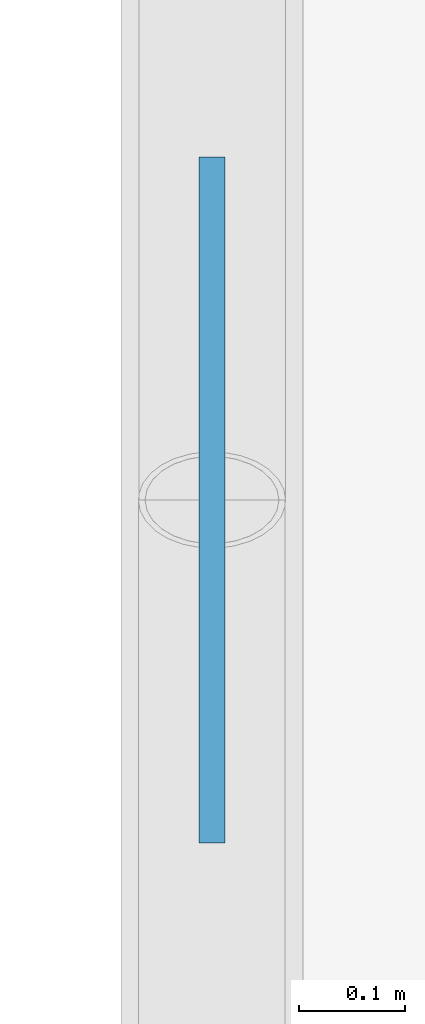
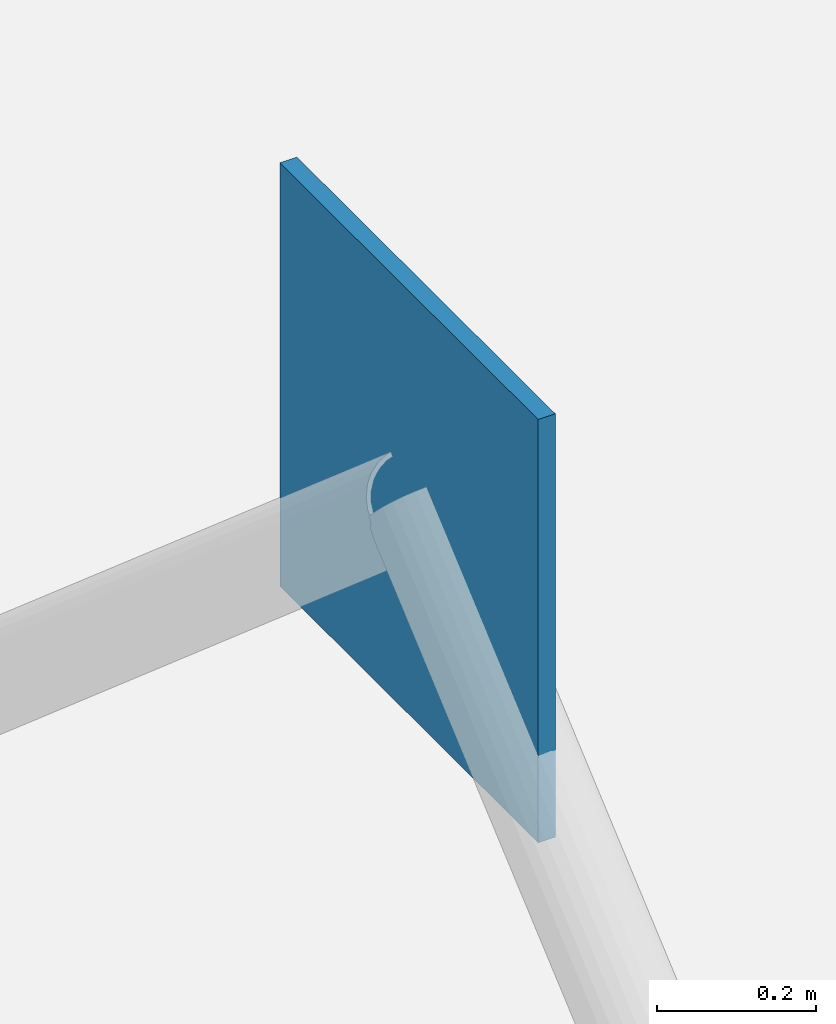
# One storey, part 66 of 93: 1 plate.
"""IFC4 building model written with IfcOpenShell, lengths in metres."""

from ifc_helpers import new_model, si_unit, direction, frame, origin, origin_2d, place, context, subcontext, project, spatial, rectangle, extrude, material, layer, layer_set, type_object, element, save


model = new_model("IFC4")

# Units and contexts
model_context = context("Model", 3, precision=1e-05, world=origin(), true_north=direction((0.0, 1.0)))
body_context = subcontext(model_context, "Body", "Model", "MODEL_VIEW")
ifc_project = project(units=[si_unit("LENGTHUNIT", "METRE"), si_unit("AREAUNIT", "SQUARE_METRE"), si_unit("VOLUMEUNIT", "CUBIC_METRE"), si_unit("PLANEANGLEUNIT", "RADIAN"), si_unit("MASSUNIT", "GRAM", prefix="KILO")], contexts=[model_context])

# Site, building, storey
site_placement = place(None, origin())
site = spatial("IfcSite", under=ifc_project, at=site_placement, CompositionType="ELEMENT")
building_placement = place(site_placement, origin())
building = spatial("IfcBuilding", under=site, at=building_placement, Name="Marnock Terrace Opera House", CompositionType="ELEMENT")
storey_placement = place(building_placement, frame((0.0, 0.0, 5.39990234375)))
storey = spatial("IfcBuildingStorey", under=building, at=storey_placement, Name="L01", CompositionType="ELEMENT", Elevation=5.39990234375)

# Plate
ifc_material = material(Name="Steel Grade 350 (AS/NZS 3679.1)", Category="steel")
ifc_layer = layer(ifc_material, 0.02490234375)
ifc_layer_set = layer_set([ifc_layer], Name="Steel Grade 350 (AS/NZS 3679.1)")
plate_type = type_object("IfcPlateType", Name="PLT-GUSSET-25", PredefinedType="SHEET", material=ifc_layer_set)
plate_placement = place(storey_placement, frame((0.0, 99.0, 3.855224609375), z_axis=(0.0, 0.0, 1.0), x_axis=(0.0, 1.0, 0.0)))
element("IfcPlate", 1, at=plate_placement, inside=storey, type_object=plate_type, Name="L01 chevron brace gusset plate BN-5", PredefinedType="SHEET", context=body_context, shape_type="SweptSolid", body=[
    extrude(rectangle(XDim=0.64990234375, YDim=0.02490234375, at=origin_2d()), origin(), (0.0, 0.0, 1.0), 0.64990234375),
])

save(model, "model.ifc")
